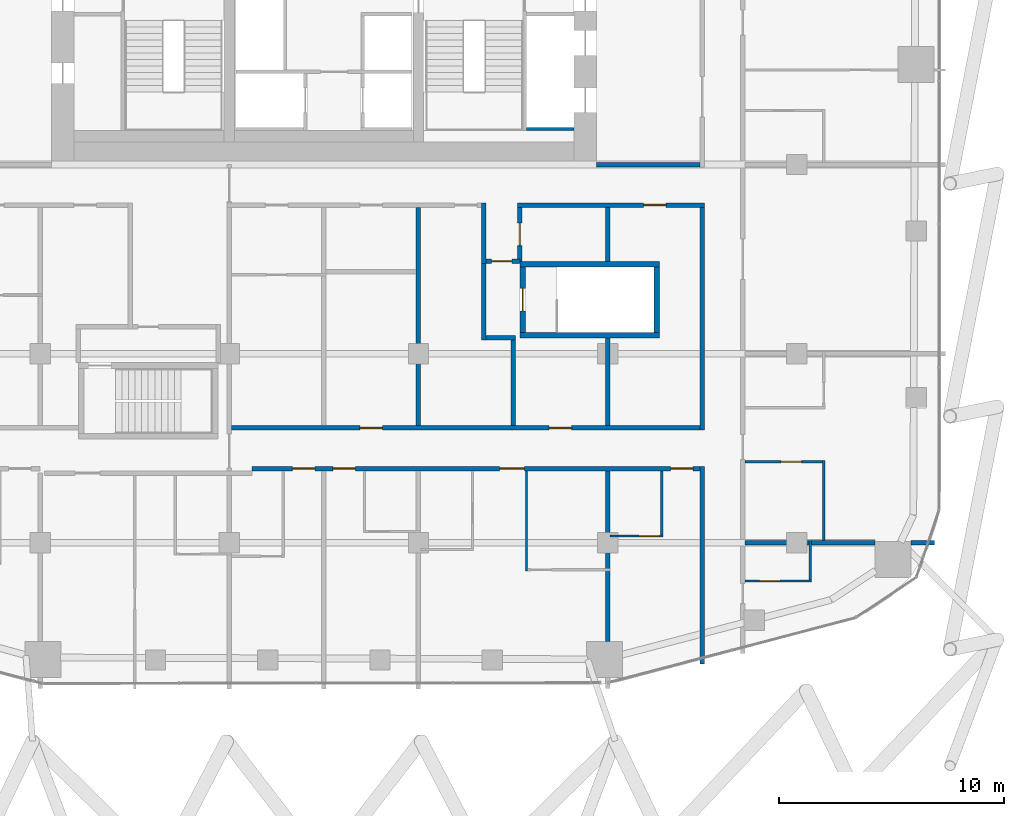
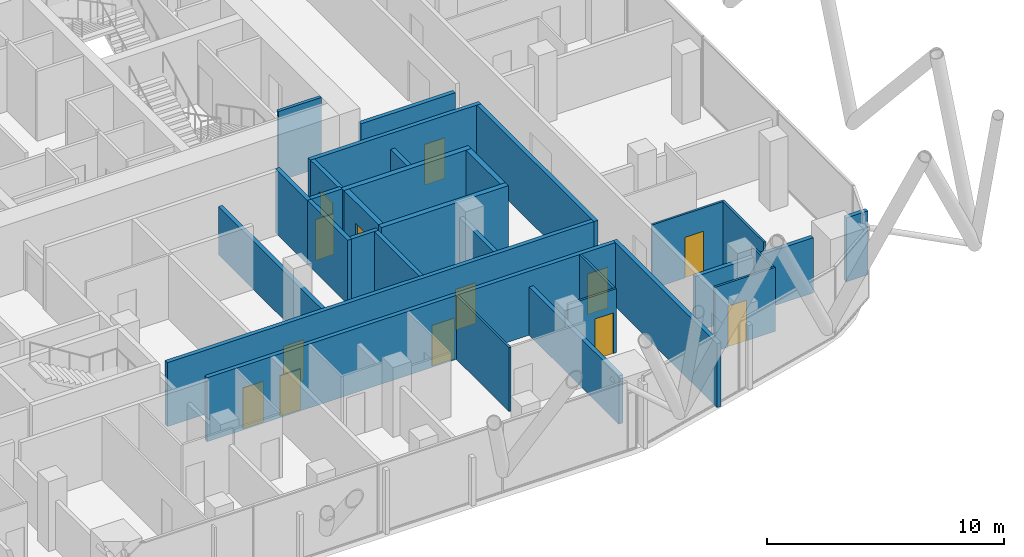
# One storey, part 28 of 34: 30 walls, 13 doors, 13 openings.
"""IFC4 building model written with IfcOpenShell, lengths in metres."""

from ifc_helpers import new_model, si_unit, direction, frame, frame_2d, origin, place, context, subcontext, project, spatial, rectangle, extrude, material, layer, layer_set, type_object, element, fill, save


model = new_model("IFC4")

# Units and contexts
model_context = context("Model", 3, precision=1e-05, world=origin(), true_north=direction((0.0, 1.0)))
body_context = subcontext(model_context, "Body", "Model", "MODEL_VIEW")
ifc_project = project(units=[si_unit("LENGTHUNIT", "METRE"), si_unit("AREAUNIT", "SQUARE_METRE"), si_unit("VOLUMEUNIT", "CUBIC_METRE"), si_unit("PLANEANGLEUNIT", "RADIAN"), si_unit("MASSUNIT", "GRAM", prefix="KILO")], contexts=[model_context])

# Site, building, storey
site_placement = place(None, origin())
site = spatial("IfcSite", under=ifc_project, at=site_placement, CompositionType="ELEMENT")
building_placement = place(site_placement, origin())
building = spatial("IfcBuilding", under=site, at=building_placement, Name="Marenta Gate Hotel Tower", CompositionType="ELEMENT")
storey_placement = place(building_placement, frame((0.0, 0.0, 166.10009765625)))
storey = spatial("IfcBuildingStorey", under=building, at=storey_placement, Name="L39", CompositionType="ELEMENT", Elevation=166.10009765625)

# Walls
ifc_material_1 = material(Name="Concrete blockwork", Category="masonry")
ifc_layer_1 = layer(ifc_material_1, 0.199951171875)
ifc_layer_set_1 = layer_set([ifc_layer_1], Name="Concrete blockwork")
wall_type_1 = type_object("IfcWallType", Name="Core boundary wall 200 REI 180", PredefinedType="PARTITIONING", material=ifc_layer_set_1)
wall_1_placement = place(storey_placement, frame((12.10009765625, 0.0, 0.0), z_axis=(0.0, 0.0, 1.0), x_axis=(1.0, 0.0, 0.0)))
element("IfcWall", 1, at=wall_1_placement, inside=storey, type_object=wall_type_1, Name="L39-CP-EW-ES", PredefinedType="PARTITIONING", context=body_context, shape_type="SweptSolid", body=[
    extrude(rectangle(XDim=4.599853515625, YDim=0.199951171875, at=frame_2d((2.2998046875, 0.0))), origin(), (0.0, 0.0, 1.0), 2.849853515625),
])
ifc_material_2 = material(Name="Concrete C40", Category="concrete")
ifc_layer_2 = layer(ifc_material_2, 0.14990234375)
ifc_layer_set_2 = layer_set([ifc_layer_2], Name="Concrete C40")
wall_type_2 = type_object("IfcWallType", Name="Core shaft wall 150 REI 180", PredefinedType="SHEAR", material=ifc_layer_set_2)
wall_2_placement = place(storey_placement, frame((9.0, 1.574951171875, 0.0), z_axis=(0.0, 0.0, 1.0), x_axis=(1.0, 0.0, 0.0)))
element("IfcWall", 2, at=wall_2_placement, inside=storey, type_object=wall_type_2, Name="L39-SHF-SW-ES-5", PredefinedType="SHEAR", context=body_context, shape_type="SweptSolid", body=[
    extrude(rectangle(XDim=2.10009765625, YDim=0.14990234375, at=frame_2d((1.050048828125, 0.0))), origin(), (0.0, 0.0, 1.0), 3.599853515625),
])
ifc_material_3 = material(Name="Concrete C40", Category="concrete")
ifc_layer_3 = layer(ifc_material_3, 0.25)
ifc_layer_set_3 = layer_set([ifc_layer_3], Name="Concrete C40")
wall_type_3 = type_object("IfcWallType", Name="Remote stair enclosure wall 250 REI 180", PredefinedType="SHEAR", material=ifc_layer_set_3)
for number, where, z_axis, x_axis, name in (
    (3, (8.699951171875, -7.574951171875, 0.099853515625), (0.0, 0.0, 1.0), (1.0, 0.0, 0.0), "L39-RS-Z2-2-W1"),
    (4, (8.699951171875, -4.425048828125, 0.099853515625), (0.0, 0.0, 1.0), (1.0, 0.0, 0.0), "L39-RS-Z2-2-W2"),
):
    element("IfcWall", number, at=place(storey_placement, frame(where, z_axis=z_axis, x_axis=x_axis)), inside=storey, type_object=wall_type_3, Name=name, PredefinedType="SHEAR", context=body_context, shape_type="SweptSolid", body=[
        extrude(rectangle(XDim=6.199951171875, YDim=0.25, at=frame_2d((3.10009765625, 0.0))), origin(), (0.0, 0.0, 1.0), 3.199951171875),
    ])

# Wall, opening, door
wall_3_placement = place(storey_placement, frame((8.824951171875, -7.449951171875, 0.099853515625), z_axis=(0.0, 0.0, 1.0), x_axis=(0.0, 1.0, 0.0)))
wall_3 = element("IfcWall", 5, at=wall_3_placement, inside=storey, type_object=wall_type_3, Name="L39-RS-Z2-2-W3", PredefinedType="SHEAR", context=body_context, shape_type="SweptSolid", body=[
    extrude(rectangle(XDim=2.89990234375, YDim=0.25, at=frame_2d((1.449951171875, 0.0))), origin(), (0.0, 0.0, 1.0), 3.199951171875),
])
opening_1_placement = place(wall_3_placement, frame((0.949951171875, 0.0, 0.0)))
opening_1 = element("IfcOpeningElement", 6, at=opening_1_placement, cuts=wall_3, Name="Opening VD", PredefinedType="OPENING", context=body_context, shape_type="SweptSolid", body=[
    extrude(rectangle(XDim=1.0, YDim=2.10009765625, at=frame_2d((0.5, 1.050048828125))), frame((0.0, 0.125, 0.0), z_axis=(0.0, -1.0, 0.0), x_axis=(1.0, 0.0, 0.0)), (0.0, 0.0, 1.0), 0.25),
])
ifc_material_4 = material(Name="Steel", Category="steel")
door_type_1 = type_object("IfcDoorType", Name="Stair vestibule door 1000x2100 FD60", OperationType="SINGLE_SWING_LEFT", PredefinedType="DOOR", material=ifc_material_4)
door_1_placement = place(opening_1_placement, origin())
door_1 = element("IfcDoor", 7, at=door_1_placement, inside=storey, type_object=door_type_1, Name="VD", OperationType="SINGLE_SWING_LEFT", OverallHeight=2.10009765625, OverallWidth=1.0, PredefinedType="DOOR", context=body_context, shape_type="SweptSolid", body=[
    extrude(rectangle(XDim=1.0, YDim=2.10009765625, at=frame_2d((0.5, 1.050048828125))), frame((0.0, 0.02490234375, 0.0), z_axis=(0.0, -1.0, 0.0), x_axis=(1.0, 0.0, 0.0)), (0.0, 0.0, 1.0), 0.050048828125),
])
fill(opening_1, door_1)

# Wall
wall_4_placement = place(storey_placement, frame((14.77490234375, -7.449951171875, 0.099853515625), z_axis=(0.0, 0.0, 1.0), x_axis=(0.0, 1.0, 0.0)))
element("IfcWall", 8, at=wall_4_placement, inside=storey, type_object=wall_type_3, Name="L39-RS-Z2-2-W4", PredefinedType="SHEAR", context=body_context, shape_type="SweptSolid", body=[
    extrude(rectangle(XDim=2.89990234375, YDim=0.25, at=frame_2d((1.449951171875, 0.0))), origin(), (0.0, 0.0, 1.0), 3.199951171875),
])

# Wall, openings, doors
ifc_material_5 = material(Name="Concrete blockwork", Category="masonry")
ifc_layer_4 = layer(ifc_material_5, 0.199951171875)
ifc_layer_set_4 = layer_set([ifc_layer_4], Name="Concrete blockwork")
wall_type_4 = type_object("IfcWallType", Name="Room corridor wall 200 EI 120", PredefinedType="PARTITIONING", material=ifc_layer_set_4)
wall_5_placement = place(storey_placement, frame((-4.10009765625, -11.699951171875, 0.0), z_axis=(0.0, 0.0, 1.0), x_axis=(1.0, 0.0, 0.0)))
wall_5 = element("IfcWall", 9, at=wall_5_placement, inside=storey, type_object=wall_type_4, Name="L39-PTN-W034", PredefinedType="PARTITIONING", context=body_context, shape_type="SweptSolid", body=[
    extrude(rectangle(XDim=20.800048828125, YDim=0.199951171875, at=frame_2d((10.39990234375, 0.0))), origin(), (0.0, 0.0, 1.0), 3.2998046875),
])
opening_2_placement = place(wall_5_placement, frame((14.10009765625, 0.0, 0.0)))
opening_2 = element("IfcOpeningElement", 10, at=opening_2_placement, cuts=wall_5, Name="Opening G14-60", PredefinedType="OPENING", context=body_context, shape_type="SweptSolid", body=[
    extrude(rectangle(XDim=1.0, YDim=2.10009765625, at=frame_2d((0.5, 1.050048828125))), frame((0.0, 0.10009765625, 0.0), z_axis=(0.0, -1.0, 0.0), x_axis=(1.0, 0.0, 0.0)), (0.0, 0.0, 1.0), 0.199951171875),
])
opening_3_placement = place(wall_5_placement, frame((5.699951171875, 0.0, 0.0)))
opening_3 = element("IfcOpeningElement", 11, at=opening_3_placement, cuts=wall_5, Name="Opening G14-64", PredefinedType="OPENING", context=body_context, shape_type="SweptSolid", body=[
    extrude(rectangle(XDim=1.0, YDim=2.10009765625, at=frame_2d((0.5, 1.050048828125))), frame((0.0, 0.10009765625, 0.0), z_axis=(0.0, -1.0, 0.0), x_axis=(1.0, 0.0, 0.0)), (0.0, 0.0, 1.0), 0.199951171875),
])
ifc_material_6 = material(Name="Timber door leaf", Category="wood")
door_type_2 = type_object("IfcDoorType", Name="Room amenity door 1000x2100 EI 60", OperationType="NOTDEFINED", PredefinedType="DOOR", material=ifc_material_6)
door_2_placement = place(opening_2_placement, origin())
door_2 = element("IfcDoor", 12, at=door_2_placement, inside=storey, type_object=door_type_2, Name="L39-PD-D060", OperationType="SINGLE_SWING_RIGHT", OverallHeight=2.10009765625, OverallWidth=1.0, PredefinedType="DOOR", context=body_context, shape_type="SweptSolid", body=[
    extrude(rectangle(XDim=1.0, YDim=2.10009765625, at=frame_2d((0.5, 1.050048828125))), frame((0.0, 0.02490234375, 0.0), z_axis=(0.0, -1.0, 0.0), x_axis=(1.0, 0.0, 0.0)), (0.0, 0.0, 1.0), 0.050048828125),
])
fill(opening_2, door_2)
door_3_placement = place(opening_3_placement, origin())
door_3 = element("IfcDoor", 13, at=door_3_placement, inside=storey, type_object=door_type_2, Name="L39-PD-D064", OperationType="SINGLE_SWING_RIGHT", OverallHeight=2.10009765625, OverallWidth=1.0, PredefinedType="DOOR", context=body_context, shape_type="SweptSolid", body=[
    extrude(rectangle(XDim=1.0, YDim=2.10009765625, at=frame_2d((0.5, 1.050048828125))), frame((0.0, 0.02490234375, 0.0), z_axis=(0.0, -1.0, 0.0), x_axis=(1.0, 0.0, 0.0)), (0.0, 0.0, 1.0), 0.050048828125),
])
fill(opening_3, door_3)

# Walls
ifc_material_7 = material(Name="Gypsum board on steel stud", Category="steel")
ifc_layer_5 = layer(ifc_material_7, 0.199951171875)
ifc_layer_set_5 = layer_set([ifc_layer_5], Name="Gypsum board on steel stud")
wall_type_5 = type_object("IfcWallType", Name="Room corridor wall 200 EI 60", PredefinedType="PARTITIONING", material=ifc_layer_set_5)
wall_6_placement = place(storey_placement, frame((16.800048828125, -22.18603515625, 0.0), z_axis=(0.0, 0.0, 1.0), x_axis=(0.0, 1.0, 0.0)))
element("IfcWall", 14, at=wall_6_placement, inside=storey, type_object=wall_type_5, Name="L39-PTN-W016", PredefinedType="PARTITIONING", context=body_context, shape_type="SweptSolid", body=[
    extrude(rectangle(XDim=8.7861328125, YDim=0.199951171875, at=frame_2d((4.39306640625, 0.0))), origin(), (0.0, 0.0, 1.0), 3.2998046875),
])
wall_7_placement = place(storey_placement, frame((16.800048828125, -11.800048828125, 0.0), z_axis=(0.0, 0.0, 1.0), x_axis=(0.0, 1.0, 0.0)))
element("IfcWall", 15, at=wall_7_placement, inside=storey, type_object=wall_type_5, Name="L39-PTN-W017", PredefinedType="PARTITIONING", context=body_context, shape_type="SweptSolid", body=[
    extrude(rectangle(XDim=9.900146484375, YDim=0.199951171875, at=frame_2d((4.9501953125, 0.0))), origin(), (0.0, 0.0, 1.0), 3.2998046875),
])

# Wall, openings, doors
wall_8_placement = place(storey_placement, frame((-3.199951171875, -13.5, 0.0), z_axis=(0.0, 0.0, 1.0), x_axis=(1.0, 0.0, 0.0)))
wall_8 = element("IfcWall", 16, at=wall_8_placement, inside=storey, type_object=wall_type_5, Name="L39-PTN-W027", PredefinedType="PARTITIONING", context=body_context, shape_type="SweptSolid", body=[
    extrude(rectangle(XDim=19.89990234375, YDim=0.199951171875, at=frame_2d((9.949951171875, 0.0))), origin(), (0.0, 0.0, 1.0), 3.2998046875),
])
opening_4_placement = place(wall_8_placement, frame((1.800048828125, 0.0, 0.0)))
opening_4 = element("IfcOpeningElement", 17, at=opening_4_placement, cuts=wall_8, Name="Opening G14-35", PredefinedType="OPENING", context=body_context, shape_type="SweptSolid", body=[
    extrude(rectangle(XDim=1.0, YDim=2.10009765625, at=frame_2d((0.5, 1.050048828125))), frame((0.0, 0.10009765625, 0.0), z_axis=(0.0, -1.0, 0.0), x_axis=(1.0, 0.0, 0.0)), (0.0, 0.0, 1.0), 0.199951171875),
])
opening_5_placement = place(wall_8_placement, frame((3.60009765625, 0.0, 0.0)))
opening_5 = element("IfcOpeningElement", 18, at=opening_5_placement, cuts=wall_8, Name="Opening G14-37", PredefinedType="OPENING", context=body_context, shape_type="SweptSolid", body=[
    extrude(rectangle(XDim=1.0, YDim=2.10009765625, at=frame_2d((0.5, 1.050048828125))), frame((0.0, 0.10009765625, 0.0), z_axis=(0.0, -1.0, 0.0), x_axis=(1.0, 0.0, 0.0)), (0.0, 0.0, 1.0), 0.199951171875),
])
opening_6_placement = place(wall_8_placement, frame((11.0, 0.0, 0.0)))
opening_6 = element("IfcOpeningElement", 19, at=opening_6_placement, cuts=wall_8, Name="Opening G14-39", PredefinedType="OPENING", context=body_context, shape_type="SweptSolid", body=[
    extrude(rectangle(XDim=1.10009765625, YDim=2.10009765625, at=frame_2d((0.550048828125, 1.050048828125))), frame((0.0, 0.10009765625, 0.0), z_axis=(0.0, -1.0, 0.0), x_axis=(1.0, 0.0, 0.0)), (0.0, 0.0, 1.0), 0.199951171875),
])
opening_7_placement = place(wall_8_placement, frame((18.60009765625, 0.0, 0.0)))
opening_7 = element("IfcOpeningElement", 20, at=opening_7_placement, cuts=wall_8, Name="Opening G14-42", PredefinedType="OPENING", context=body_context, shape_type="SweptSolid", body=[
    extrude(rectangle(XDim=1.0, YDim=2.10009765625, at=frame_2d((0.5, 1.050048828125))), frame((0.0, 0.10009765625, 0.0), z_axis=(0.0, -1.0, 0.0), x_axis=(1.0, 0.0, 0.0)), (0.0, 0.0, 1.0), 0.199951171875),
])
ifc_material_8 = material(Name="Timber door leaf", Category="wood")
door_type_3 = type_object("IfcDoorType", Name="Guest room door 1000x2100 EI 30", OperationType="NOTDEFINED", PredefinedType="DOOR", material=ifc_material_8)
door_4_placement = place(opening_4_placement, origin())
door_4 = element("IfcDoor", 21, at=door_4_placement, inside=storey, type_object=door_type_3, Name="L39-PD-D035", OperationType="SINGLE_SWING_LEFT", OverallHeight=2.10009765625, OverallWidth=1.0, PredefinedType="DOOR", context=body_context, shape_type="SweptSolid", body=[
    extrude(rectangle(XDim=1.0, YDim=2.10009765625, at=frame_2d((0.5, 1.050048828125))), frame((0.0, 0.02490234375, 0.0), z_axis=(0.0, -1.0, 0.0), x_axis=(1.0, 0.0, 0.0)), (0.0, 0.0, 1.0), 0.050048828125),
])
fill(opening_4, door_4)
door_5_placement = place(opening_5_placement, origin())
door_5 = element("IfcDoor", 22, at=door_5_placement, inside=storey, type_object=door_type_3, Name="L39-PD-D037", OperationType="SINGLE_SWING_LEFT", OverallHeight=2.10009765625, OverallWidth=1.0, PredefinedType="DOOR", context=body_context, shape_type="SweptSolid", body=[
    extrude(rectangle(XDim=1.0, YDim=2.10009765625, at=frame_2d((0.5, 1.050048828125))), frame((0.0, 0.02490234375, 0.0), z_axis=(0.0, -1.0, 0.0), x_axis=(1.0, 0.0, 0.0)), (0.0, 0.0, 1.0), 0.050048828125),
])
fill(opening_5, door_5)
door_6_placement = place(opening_7_placement, origin())
door_6 = element("IfcDoor", 23, at=door_6_placement, inside=storey, type_object=door_type_3, Name="L39-PD-D042", OperationType="SINGLE_SWING_LEFT", OverallHeight=2.10009765625, OverallWidth=1.0, PredefinedType="DOOR", context=body_context, shape_type="SweptSolid", body=[
    extrude(rectangle(XDim=1.0, YDim=2.10009765625, at=frame_2d((0.5, 1.050048828125))), frame((0.0, 0.02490234375, 0.0), z_axis=(0.0, -1.0, 0.0), x_axis=(1.0, 0.0, 0.0)), (0.0, 0.0, 1.0), 0.050048828125),
])
fill(opening_7, door_6)
ifc_material_9 = material(Name="Timber door leaf", Category="wood")
door_type_4 = type_object("IfcDoorType", Name="Guest room door 1100x2100 EI 30", OperationType="NOTDEFINED", PredefinedType="DOOR", material=ifc_material_9)
door_7_placement = place(opening_6_placement, origin())
door_7 = element("IfcDoor", 24, at=door_7_placement, inside=storey, type_object=door_type_4, Name="L39-PD-D039", OperationType="SINGLE_SWING_LEFT", OverallHeight=2.10009765625, OverallWidth=1.10009765625, PredefinedType="DOOR", context=body_context, shape_type="SweptSolid", body=[
    extrude(rectangle(XDim=1.10009765625, YDim=2.10009765625, at=frame_2d((0.550048828125, 1.050048828125))), frame((0.0, 0.02490234375, 0.0), z_axis=(0.0, -1.0, 0.0), x_axis=(1.0, 0.0, 0.0)), (0.0, 0.0, 1.0), 0.050048828125),
])
fill(opening_6, door_7)

# Wall, opening, door
wall_9_placement = place(storey_placement, frame((8.699951171875, -4.300048828125, 0.0), z_axis=(0.0, 0.0, 1.0), x_axis=(0.0, 1.0, 0.0)))
wall_9 = element("IfcWall", 25, at=wall_9_placement, inside=storey, type_object=wall_type_5, Name="L39-PTN-W039", PredefinedType="PARTITIONING", context=body_context, shape_type="SweptSolid", body=[
    extrude(rectangle(XDim=2.400146484375, YDim=0.199951171875, at=frame_2d((1.2001953125, 0.0))), origin(), (0.0, 0.0, 1.0), 3.2998046875),
])
opening_8_placement = place(wall_9_placement, frame((0.699951171875, 0.0, 0.0)))
opening_8 = element("IfcOpeningElement", 26, at=opening_8_placement, cuts=wall_9, Name="Opening G14-61", PredefinedType="OPENING", context=body_context, shape_type="SweptSolid", body=[
    extrude(rectangle(XDim=1.0, YDim=2.10009765625, at=frame_2d((0.5, 1.050048828125))), frame((0.0, 0.10009765625, 0.0), z_axis=(0.0, -1.0, 0.0), x_axis=(1.0, 0.0, 0.0)), (0.0, 0.0, 1.0), 0.199951171875),
])
ifc_material_10 = material(Name="Timber door leaf", Category="wood")
door_type_5 = type_object("IfcDoorType", Name="Room amenity door 1000x2100 EI 30", OperationType="NOTDEFINED", PredefinedType="DOOR", material=ifc_material_10)
door_8_placement = place(opening_8_placement, origin())
door_8 = element("IfcDoor", 27, at=door_8_placement, inside=storey, type_object=door_type_5, Name="L39-PD-D061", OperationType="SINGLE_SWING_LEFT", OverallHeight=2.10009765625, OverallWidth=1.0, PredefinedType="DOOR", context=body_context, shape_type="SweptSolid", body=[
    extrude(rectangle(XDim=1.0, YDim=2.10009765625, at=frame_2d((0.5, 1.050048828125))), frame((0.0, 0.02490234375, 0.0), z_axis=(0.0, -1.0, 0.0), x_axis=(1.0, 0.0, 0.0)), (0.0, 0.0, 1.0), 0.050048828125),
])
fill(opening_8, door_8)

# Wall
wall_10_placement = place(storey_placement, frame((7.10009765625, -4.39990234375, 0.0), z_axis=(0.0, 0.0, 1.0), x_axis=(0.0, 1.0, 0.0)))
element("IfcWall", 28, at=wall_10_placement, inside=storey, type_object=wall_type_5, Name="L39-PTN-W047", PredefinedType="PARTITIONING", context=body_context, shape_type="SweptSolid", body=[
    extrude(rectangle(XDim=2.699951171875, YDim=0.199951171875, at=frame_2d((1.35009765625, 0.0))), origin(), (0.0, 0.0, 1.0), 3.2998046875),
])

# Wall, opening, door
wall_11_placement = place(storey_placement, frame((8.60009765625, -1.800048828125, 0.0), z_axis=(0.0, 0.0, 1.0), x_axis=(1.0, 0.0, 0.0)))
wall_11 = element("IfcWall", 29, at=wall_11_placement, inside=storey, type_object=wall_type_5, Name="L39-PTN-W063", PredefinedType="PARTITIONING", context=body_context, shape_type="SweptSolid", body=[
    extrude(rectangle(XDim=8.2998046875, YDim=0.199951171875, at=frame_2d((4.14990234375, 0.0))), origin(), (0.0, 0.0, 1.0), 3.2998046875),
])
opening_9_placement = place(wall_11_placement, frame((5.60009765625, 0.0, 0.0)))
opening_9 = element("IfcOpeningElement", 30, at=opening_9_placement, cuts=wall_11, Name="Opening G14-07", PredefinedType="OPENING", context=body_context, shape_type="SweptSolid", body=[
    extrude(rectangle(XDim=1.0, YDim=2.10009765625, at=frame_2d((0.5, 1.050048828125))), frame((0.0, 0.10009765625, 0.0), z_axis=(0.0, -1.0, 0.0), x_axis=(1.0, 0.0, 0.0)), (0.0, 0.0, 1.0), 0.199951171875),
])
door_9_placement = place(opening_9_placement, origin())
door_9 = element("IfcDoor", 31, at=door_9_placement, inside=storey, type_object=door_type_5, Name="L39-PD-D007", OperationType="SINGLE_SWING_LEFT", OverallHeight=2.10009765625, OverallWidth=1.0, PredefinedType="DOOR", context=body_context, shape_type="SweptSolid", body=[
    extrude(rectangle(XDim=1.0, YDim=2.10009765625, at=frame_2d((0.5, 1.050048828125))), frame((0.0, 0.02490234375, 0.0), z_axis=(0.0, -1.0, 0.0), x_axis=(1.0, 0.0, 0.0)), (0.0, 0.0, 1.0), 0.050048828125),
])
fill(opening_9, door_9)

ifc_material_11 = material(Name="Concrete blockwork", Category="masonry")
ifc_layer_6 = layer(ifc_material_11, 0.199951171875)
ifc_layer_set_6 = layer_set([ifc_layer_6], Name="Concrete blockwork")
wall_type_6 = type_object("IfcWallType", Name="Room corridor wall 200 REI 180", PredefinedType="PARTITIONING", material=ifc_layer_set_6)
wall_12_placement = place(storey_placement, frame((7.199951171875, -4.300048828125, 0.0), z_axis=(0.0, 0.0, 1.0), x_axis=(1.0, 0.0, 0.0)))
wall_12 = element("IfcWall", 32, at=wall_12_placement, inside=storey, type_object=wall_type_6, Name="L39-PTN-W053", PredefinedType="PARTITIONING", context=body_context, shape_type="SweptSolid", body=[
    extrude(rectangle(XDim=1.5, YDim=0.199951171875, at=frame_2d((0.75, 0.0))), origin(), (0.0, 0.0, 1.0), 3.2998046875),
])
opening_10_placement = place(wall_12_placement, frame((0.25, 0.0, 0.0)))
opening_10 = element("IfcOpeningElement", 33, at=opening_10_placement, cuts=wall_12, Name="Opening G14-57", PredefinedType="OPENING", context=body_context, shape_type="SweptSolid", body=[
    extrude(rectangle(XDim=0.89990234375, YDim=2.10009765625, at=frame_2d((0.449951171875, 1.050048828125))), frame((0.0, 0.10009765625, 0.0), z_axis=(0.0, -1.0, 0.0), x_axis=(1.0, 0.0, 0.0)), (0.0, 0.0, 1.0), 0.199951171875),
])
ifc_material_12 = material(Name="Hollow steel door set", Category="steel")
door_type_6 = type_object("IfcDoorType", Name="Stair vestibule door 900x2100 EI 60", OperationType="NOTDEFINED", PredefinedType="DOOR", material=ifc_material_12)
door_10_placement = place(opening_10_placement, origin())
door_10 = element("IfcDoor", 34, at=door_10_placement, inside=storey, type_object=door_type_6, Name="L39-PD-D057", OperationType="SINGLE_SWING_LEFT", OverallHeight=2.10009765625, OverallWidth=0.89990234375, PredefinedType="DOOR", context=body_context, shape_type="SweptSolid", body=[
    extrude(rectangle(XDim=0.89990234375, YDim=2.10009765625, at=frame_2d((0.449951171875, 1.050048828125))), frame((0.0, 0.02490234375, 0.0), z_axis=(0.0, -1.0, 0.0), x_axis=(1.0, 0.0, 0.0)), (0.0, 0.0, 1.0), 0.050048828125),
])
fill(opening_10, door_10)

# Walls
ifc_material_13 = material(Name="Gypsum board on steel stud", Category="steel")
ifc_layer_7 = layer(ifc_material_13, 0.10009765625)
ifc_layer_set_7 = layer_set([ifc_layer_7], Name="Gypsum board on steel stud")
wall_type_7 = type_object("IfcWallType", Name="Room partition 100", PredefinedType="PARTITIONING", material=ifc_layer_set_7)
wall_13_placement = place(storey_placement, frame((22.199951171875, -16.699951171875, 0.0), z_axis=(0.0, 0.0, 1.0), x_axis=(0.0, 1.0, 0.0)))
element("IfcWall", 35, at=wall_13_placement, inside=storey, type_object=wall_type_7, Name="L39-PTN-W002", PredefinedType="PARTITIONING", context=body_context, shape_type="SweptSolid", body=[
    extrude(rectangle(XDim=3.550048828125, YDim=0.10009765625, at=frame_2d((1.77490234375, 0.0))), origin(), (0.0, 0.0, 1.0), 3.2998046875),
])
wall_14_placement = place(storey_placement, frame((21.60009765625, -18.449951171875, 0.0), z_axis=(0.0, 0.0, 1.0), x_axis=(0.0, 1.0, 0.0)))
element("IfcWall", 36, at=wall_14_placement, inside=storey, type_object=wall_type_7, Name="L39-PTN-W007", PredefinedType="PARTITIONING", context=body_context, shape_type="SweptSolid", body=[
    extrude(rectangle(XDim=1.75, YDim=0.10009765625, at=frame_2d((0.875, 0.0))), origin(), (0.0, 0.0, 1.0), 3.2998046875),
])

# Wall, opening, door
wall_15_placement = place(storey_placement, frame((18.699951171875, -18.5, 0.0), z_axis=(0.0, 0.0, 1.0), x_axis=(1.0, 0.0, 0.0)))
wall_15 = element("IfcWall", 37, at=wall_15_placement, inside=storey, type_object=wall_type_7, Name="L39-PTN-W010", PredefinedType="PARTITIONING", context=body_context, shape_type="SweptSolid", body=[
    extrude(rectangle(XDim=2.949951171875, YDim=0.10009765625, at=frame_2d((1.47509765625, 0.0))), origin(), (0.0, 0.0, 1.0), 3.2998046875),
])
opening_11_placement = place(wall_15_placement, frame((0.64990234375, 0.0, 0.0)))
opening_11 = element("IfcOpeningElement", 38, at=opening_11_placement, cuts=wall_15, Name="Opening G14-09", PredefinedType="OPENING", context=body_context, shape_type="SweptSolid", body=[
    extrude(rectangle(XDim=0.89990234375, YDim=2.10009765625, at=frame_2d((0.449951171875, 1.050048828125))), frame((0.0, 0.050048828125, 0.0), z_axis=(0.0, -1.0, 0.0), x_axis=(1.0, 0.0, 0.0)), (0.0, 0.0, 1.0), 0.10009765625),
])
ifc_material_14 = material(Name="Timber door leaf", Category="wood")
door_type_7 = type_object("IfcDoorType", Name="Guest bathroom door 900x2100", OperationType="NOTDEFINED", PredefinedType="DOOR", material=ifc_material_14)
door_11_placement = place(opening_11_placement, origin())
door_11 = element("IfcDoor", 39, at=door_11_placement, inside=storey, type_object=door_type_7, Name="L39-PD-D009", OperationType="SINGLE_SWING_LEFT", OverallHeight=2.10009765625, OverallWidth=0.89990234375, PredefinedType="DOOR", context=body_context, shape_type="SweptSolid", body=[
    extrude(rectangle(XDim=0.89990234375, YDim=2.10009765625, at=frame_2d((0.449951171875, 1.050048828125))), frame((0.0, 0.02490234375, 0.0), z_axis=(0.0, -1.0, 0.0), x_axis=(1.0, 0.0, 0.0)), (0.0, 0.0, 1.0), 0.050048828125),
])
fill(opening_11, door_11)

wall_16_placement = place(storey_placement, frame((12.699951171875, -16.5, 0.0), z_axis=(0.0, 0.0, 1.0), x_axis=(1.0, 0.0, 0.0)))
wall_16 = element("IfcWall", 40, at=wall_16_placement, inside=storey, type_object=wall_type_7, Name="L39-PTN-W021", PredefinedType="PARTITIONING", context=body_context, shape_type="SweptSolid", body=[
    extrude(rectangle(XDim=2.35009765625, YDim=0.10009765625, at=frame_2d((1.175048828125, 0.0))), origin(), (0.0, 0.0, 1.0), 3.2998046875),
])
opening_12_placement = place(wall_16_placement, frame((1.300048828125, 0.0, 0.0)))
opening_12 = element("IfcOpeningElement", 41, at=opening_12_placement, cuts=wall_16, Name="Opening G14-43", PredefinedType="OPENING", context=body_context, shape_type="SweptSolid", body=[
    extrude(rectangle(XDim=0.89990234375, YDim=2.10009765625, at=frame_2d((0.449951171875, 1.050048828125))), frame((0.0, 0.050048828125, 0.0), z_axis=(0.0, -1.0, 0.0), x_axis=(1.0, 0.0, 0.0)), (0.0, 0.0, 1.0), 0.10009765625),
])
door_12_placement = place(opening_12_placement, origin())
door_12 = element("IfcDoor", 42, at=door_12_placement, inside=storey, type_object=door_type_7, Name="L39-PD-D043", OperationType="SINGLE_SWING_RIGHT", OverallHeight=2.10009765625, OverallWidth=0.89990234375, PredefinedType="DOOR", context=body_context, shape_type="SweptSolid", body=[
    extrude(rectangle(XDim=0.89990234375, YDim=2.10009765625, at=frame_2d((0.449951171875, 1.050048828125))), frame((0.0, 0.02490234375, 0.0), z_axis=(0.0, -1.0, 0.0), x_axis=(1.0, 0.0, 0.0)), (0.0, 0.0, 1.0), 0.050048828125),
])
fill(opening_12, door_12)

# Wall
wall_17_placement = place(storey_placement, frame((15.0, -16.449951171875, 0.0), z_axis=(0.0, 0.0, 1.0), x_axis=(0.0, 1.0, 0.0)))
element("IfcWall", 43, at=wall_17_placement, inside=storey, type_object=wall_type_7, Name="L39-PTN-W023", PredefinedType="PARTITIONING", context=body_context, shape_type="SweptSolid", body=[
    extrude(rectangle(XDim=2.849853515625, YDim=0.10009765625, at=frame_2d((1.4248046875, 0.0))), origin(), (0.0, 0.0, 1.0), 3.2998046875),
])

# Wall, opening, door
wall_18_placement = place(storey_placement, frame((18.699951171875, -13.199951171875, 0.0), z_axis=(0.0, 0.0, 1.0), x_axis=(1.0, 0.0, 0.0)))
wall_18 = element("IfcWall", 44, at=wall_18_placement, inside=storey, type_object=wall_type_7, Name="L39-PTN-W028", PredefinedType="PARTITIONING", context=body_context, shape_type="SweptSolid", body=[
    extrude(rectangle(XDim=3.449951171875, YDim=0.10009765625, at=frame_2d((1.72509765625, 0.0))), origin(), (0.0, 0.0, 1.0), 3.2998046875),
])
opening_13_placement = place(wall_18_placement, frame((1.610107421875, 0.0, 0.0)))
opening_13 = element("IfcOpeningElement", 45, at=opening_13_placement, cuts=wall_18, Name="Opening G14-11", PredefinedType="OPENING", context=body_context, shape_type="SweptSolid", body=[
    extrude(rectangle(XDim=0.89990234375, YDim=2.10009765625, at=frame_2d((0.449951171875, 1.050048828125))), frame((0.0, 0.050048828125, 0.0), z_axis=(0.0, -1.0, 0.0), x_axis=(1.0, 0.0, 0.0)), (0.0, 0.0, 1.0), 0.10009765625),
])
door_13_placement = place(opening_13_placement, origin())
door_13 = element("IfcDoor", 46, at=door_13_placement, inside=storey, type_object=door_type_7, Name="L39-PD-D011", OperationType="SINGLE_SWING_LEFT", OverallHeight=2.10009765625, OverallWidth=0.89990234375, PredefinedType="DOOR", context=body_context, shape_type="SweptSolid", body=[
    extrude(rectangle(XDim=0.89990234375, YDim=2.10009765625, at=frame_2d((0.449951171875, 1.050048828125))), frame((0.0, 0.02490234375, 0.0), z_axis=(0.0, -1.0, 0.0), x_axis=(1.0, 0.0, 0.0)), (0.0, 0.0, 1.0), 0.050048828125),
])
fill(opening_13, door_13)

# Walls
wall_19_placement = place(storey_placement, frame((9.0, -18.050048828125, 0.0), z_axis=(0.0, 0.0, 1.0), x_axis=(0.0, 1.0, 0.0)))
element("IfcWall", 47, at=wall_19_placement, inside=storey, type_object=wall_type_7, Name="L39-PTN-W038", PredefinedType="PARTITIONING", context=body_context, shape_type="SweptSolid", body=[
    extrude(rectangle(XDim=4.449951171875, YDim=0.10009765625, at=frame_2d((2.22509765625, 0.0))), origin(), (0.0, 0.0, 1.0), 3.2998046875),
])
ifc_material_15 = material(Name="Gypsum board on steel stud", Category="steel")
ifc_layer_8 = layer(ifc_material_15, 0.199951171875)
ifc_layer_set_8 = layer_set([ifc_layer_8], Name="Gypsum board on steel stud")
wall_type_8 = type_object("IfcWallType", Name="Room party wall 200 EI 60", PredefinedType="PARTITIONING", material=ifc_layer_set_8)
wall_20_placement = place(storey_placement, frame((18.699951171875, -16.800048828125, 0.0), z_axis=(0.0, 0.0, 1.0), x_axis=(1.0, 0.0, 0.0)))
element("IfcWall", 48, at=wall_20_placement, inside=storey, type_object=wall_type_8, Name="L39-PTN-W020", PredefinedType="PARTITIONING", context=body_context, shape_type="SweptSolid", body=[
    extrude(rectangle(XDim=5.762939453125, YDim=0.199951171875, at=frame_2d((2.88134765625, 0.0))), origin(), (0.0, 0.0, 1.0), 2.849853515625),
])
wall_21_placement = place(storey_placement, frame((26.06298828125, -16.800048828125, 0.0), z_axis=(0.0, 0.0, 1.0), x_axis=(1.0, 0.0, 0.0)))
element("IfcWall", 49, at=wall_21_placement, inside=storey, type_object=wall_type_8, Name="L39-PTN-W119", PredefinedType="PARTITIONING", context=body_context, shape_type="SweptSolid", body=[
    extrude(rectangle(XDim=1.049072265625, YDim=0.199951171875, at=frame_2d((0.5244140625, 0.0))), origin(), (0.0, 0.0, 1.0), 3.2998046875),
])
wall_22_placement = place(storey_placement, frame((12.60009765625, -21.175048828125, 0.0), z_axis=(0.0, 0.0, 1.0), x_axis=(0.0, 1.0, 0.0)))
element("IfcWall", 50, at=wall_22_placement, inside=storey, type_object=wall_type_8, Name="L39-PTN-W120", PredefinedType="PARTITIONING", context=body_context, shape_type="SweptSolid", body=[
    extrude(rectangle(XDim=7.574951171875, YDim=0.199951171875, at=frame_2d((3.78759765625, 0.0))), origin(), (0.0, 0.0, 1.0), 2.48583984375),
])
wall_23_placement = place(storey_placement, frame((12.60009765625, -11.60009765625, 0.0), z_axis=(0.0, 0.0, 1.0), x_axis=(0.0, 1.0, 0.0)))
element("IfcWall", 51, at=wall_23_placement, inside=storey, type_object=wall_type_8, Name="L39-PTN-W030", PredefinedType="PARTITIONING", context=body_context, shape_type="SweptSolid", body=[
    extrude(rectangle(XDim=3.900146484375, YDim=0.199951171875, at=frame_2d((1.9501953125, 0.0))), origin(), (0.0, 0.0, 1.0), 2.48583984375),
])
wall_24_placement = place(storey_placement, frame((12.60009765625, -4.300048828125, 0.0), z_axis=(0.0, 0.0, 1.0), x_axis=(0.0, 1.0, 0.0)))
element("IfcWall", 52, at=wall_24_placement, inside=storey, type_object=wall_type_8, Name="L39-PTN-W031", PredefinedType="PARTITIONING", context=body_context, shape_type="SweptSolid", body=[
    extrude(rectangle(XDim=2.400146484375, YDim=0.199951171875, at=frame_2d((1.2001953125, 0.0))), origin(), (0.0, 0.0, 1.0), 2.48583984375),
])
wall_25_placement = place(storey_placement, frame((8.39990234375, -11.60009765625, 0.0), z_axis=(0.0, 0.0, 1.0), x_axis=(0.0, 1.0, 0.0)))
element("IfcWall", 53, at=wall_25_placement, inside=storey, type_object=wall_type_8, Name="L39-PTN-W040", PredefinedType="PARTITIONING", context=body_context, shape_type="SweptSolid", body=[
    extrude(rectangle(XDim=3.800048828125, YDim=0.199951171875, at=frame_2d((1.89990234375, 0.0))), origin(), (0.0, 0.0, 1.0), 3.2998046875),
])
wall_26_placement = place(storey_placement, frame((4.199951171875, -11.60009765625, 0.0), z_axis=(0.0, 0.0, 1.0), x_axis=(0.0, 1.0, 0.0)))
element("IfcWall", 54, at=wall_26_placement, inside=storey, type_object=wall_type_8, Name="L39-PTN-W055", PredefinedType="PARTITIONING", context=body_context, shape_type="SweptSolid", body=[
    extrude(rectangle(XDim=9.7001953125, YDim=0.199951171875, at=frame_2d((4.85009765625, 0.0))), origin(), (0.0, 0.0, 1.0), 2.48583984375),
])
ifc_material_16 = material(Name="Concrete blockwork", Category="masonry")
ifc_layer_9 = layer(ifc_material_16, 0.199951171875)
ifc_layer_set_9 = layer_set([ifc_layer_9], Name="Concrete blockwork")
wall_type_9 = type_object("IfcWallType", Name="Room party wall 200 REI 180", PredefinedType="PARTITIONING", material=ifc_layer_set_9)
wall_27_placement = place(storey_placement, frame((7.199951171875, -7.699951171875, 0.0), z_axis=(0.0, 0.0, 1.0), x_axis=(1.0, 0.0, 0.0)))
element("IfcWall", 55, at=wall_27_placement, inside=storey, type_object=wall_type_9, Name="L39-PTN-W043", PredefinedType="PARTITIONING", context=body_context, shape_type="SweptSolid", body=[
    extrude(rectangle(XDim=1.300048828125, YDim=0.199951171875, at=frame_2d((0.64990234375, 0.0))), origin(), (0.0, 0.0, 1.0), 3.2998046875),
])
wall_28_placement = place(storey_placement, frame((7.10009765625, -7.800048828125, 0.0), z_axis=(0.0, 0.0, 1.0), x_axis=(0.0, 1.0, 0.0)))
element("IfcWall", 56, at=wall_28_placement, inside=storey, type_object=wall_type_9, Name="L39-PTN-W046", PredefinedType="PARTITIONING", context=body_context, shape_type="SweptSolid", body=[
    extrude(rectangle(XDim=3.400146484375, YDim=0.199951171875, at=frame_2d((1.7001953125, 0.0))), origin(), (0.0, 0.0, 1.0), 3.2998046875),
])

save(model, "model.ifc")
